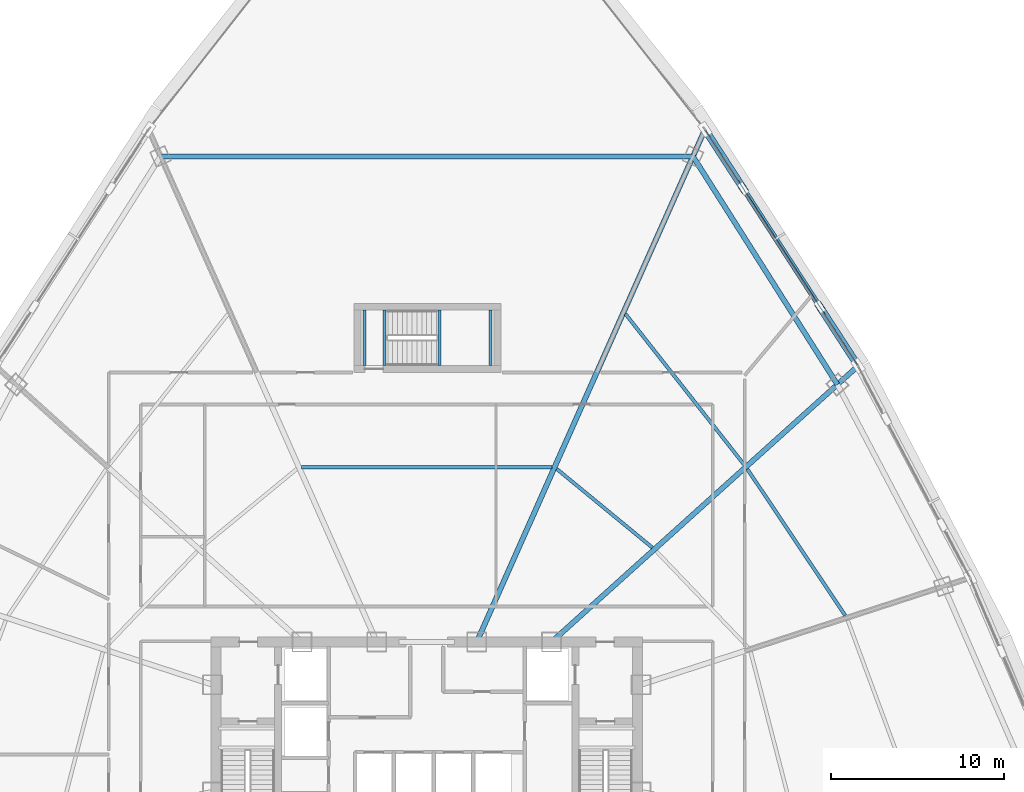
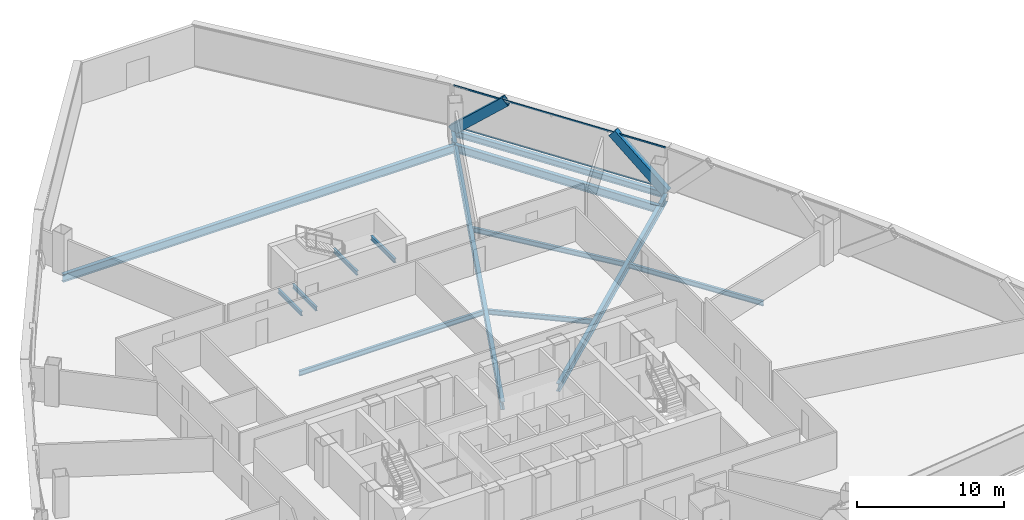
# One storey, part 19 of 39: 13 beams, 4 members, 1 element without a shape of its own.
"""IFC4 building model written with IfcOpenShell, lengths in metres."""

from ifc_helpers import new_model, si_unit, direction, frame, origin, origin_2d, place, context, subcontext, project, spatial, hollow_rectangle, i_section, extrude, source, transform, mapped, material, layer, layer_set, material_profile, profile_set, type_object, element, aggregate, save


model = new_model("IFC4")

# Units and contexts
model_context = context("Model", 3, precision=1e-05, world=origin(), true_north=direction((0.0, 1.0)))
body_context = subcontext(model_context, "Body", "Model", "MODEL_VIEW")
ifc_project = project(units=[si_unit("LENGTHUNIT", "METRE"), si_unit("AREAUNIT", "SQUARE_METRE"), si_unit("VOLUMEUNIT", "CUBIC_METRE"), si_unit("PLANEANGLEUNIT", "RADIAN"), si_unit("MASSUNIT", "GRAM", prefix="KILO"), si_unit("THERMODYNAMICTEMPERATUREUNIT", "KELVIN"), si_unit("POWERUNIT", "WATT")], contexts=[model_context])

# Site, building, storey
site_placement = place(None, origin())
site = spatial("IfcSite", under=ifc_project, at=site_placement, CompositionType="ELEMENT")
building_placement = place(site_placement, origin())
building = spatial("IfcBuilding", under=site, at=building_placement, Name="Yunzhuo Pagoda Commons", CompositionType="ELEMENT")
storey_placement = place(building_placement, frame((0.0, 0.0, 144.550048828125)))
storey = spatial("IfcBuildingStorey", under=building, at=storey_placement, Name="L36", CompositionType="ELEMENT", Elevation=144.550048828125)

# Beams
ifc_material_1 = material(Name="Structural steel Q355B", Category="steel")
ifc_material_profile_1 = material_profile(ifc_material_1, i_section(OverallWidth=0.175048828125, OverallDepth=0.35009765625, WebThickness=0.007080078125, FlangeThickness=0.010986328125, at=origin_2d()), Name="Structural steel Q355B")
ifc_profile_set_1 = profile_set([ifc_material_profile_1], Name="Structural steel Q355B")
beam_type_1 = type_object("IfcBeamType", Name="B-JS2 Joist HN 350x175x7x11", PredefinedType="JOIST", material=ifc_profile_set_1)
shared_shape_1 = source(origin(), body_context, "Body", "SweptSolid", [
    extrude(i_section(OverallWidth=0.175048828125, OverallDepth=0.35009765625, WebThickness=0.007080078125, FlangeThickness=0.010986328125, at=origin_2d()), origin(), (0.0, 0.0, 1.0), 3.199951171875),
])
for number, where, z_axis, x_axis, name in (
    (1, (48.75, 56.199951171875, 1.46484375), (0.0, 1.0, 0.0), (-1.0, 0.0, 0.0), "L36 ST3 landing support beam 42A"),
    (2, (51.699951171875, 56.199951171875, 1.46484375), (0.0, 1.0, 0.0), (-1.0, 0.0, 0.0), "L36 ST3 landing support beam 42B"),
    (3, (44.39990234375, 56.199951171875, -0.375), (0.0, 1.0, 0.0), (-1.0, 0.0, 0.0), "L36 ST3 landing support beam 110A"),
    (4, (45.550048828125, 56.199951171875, -0.375), (0.0, 1.0, 0.0), (-1.0, 0.0, 0.0), "L36 ST3 landing support beam 110B"),
):
    element("IfcBeam", number, at=place(storey_placement, frame(where, z_axis=z_axis, x_axis=x_axis)), inside=storey, type_object=beam_type_1, Name=name, PredefinedType="JOIST", context=body_context, shape_type="MappedRepresentation", body=[
        mapped(shared_shape_1, transform((0.0, 0.0, 0.0), scale=1.0)),
    ])
ifc_material_profile_2 = material_profile(ifc_material_1, i_section(OverallWidth=0.199951171875, OverallDepth=0.39990234375, WebThickness=0.008056640625, FlangeThickness=0.012939453125, at=origin_2d()), Name="Structural steel Q355B")
ifc_profile_set_2 = profile_set([ifc_material_profile_2], Name="Structural steel Q355B")
beam_type_2 = type_object("IfcBeamType", Name="B-JS1 Joist HN 400x200x8x13", PredefinedType="JOIST", material=ifc_profile_set_2)
shared_shape_2 = source(origin(), body_context, "Body", "SweptSolid", [
    extrude(i_section(OverallWidth=0.199951171875, OverallDepth=0.39990234375, WebThickness=0.008056640625, FlangeThickness=0.012939453125, at=origin_2d()), origin(), (0.0, 0.0, 1.0), 10.186767578125),
])
beam_1_placement = place(storey_placement, frame((72.221923828125, 41.731201171875, -0.4599609375), z_axis=(-0.555872145938, 0.831267801235, 0.0), x_axis=(-0.831267801235, -0.555872145938, 0.0)))
element("IfcBeam", 5, at=beam_1_placement, inside=storey, type_object=beam_type_2, Name="L36 composite ring joist 2.6", PredefinedType="JOIST", context=body_context, shape_type="MappedRepresentation", body=[
    mapped(shared_shape_2, transform((0.0, 0.0, 0.0), scale=1.0)),
])
ifc_material_profile_3 = material_profile(ifc_material_1, i_section(OverallWidth=0.300048828125, OverallDepth=0.64990234375, WebThickness=0.012939453125, FlangeThickness=0.02197265625, at=origin_2d()), Name="Structural steel Q355B")
ifc_profile_set_3 = profile_set([ifc_material_profile_3], Name="Structural steel Q355B")
beam_type_3 = type_object("IfcBeamType", Name="B-RG2 Beam HN 650x300x13x22", PredefinedType="BEAM", material=ifc_profile_set_3)
shared_shape_3 = source(origin(), body_context, "Body", "SweptSolid", [
    extrude(i_section(OverallWidth=0.300048828125, OverallDepth=0.64990234375, WebThickness=0.012939453125, FlangeThickness=0.02197265625, at=origin_2d()), origin(), (0.0, 0.0, 1.0), 15.627685546875),
])
beam_2_placement = place(storey_placement, frame((71.76611328125, 55.09912109375, -0.5849609375), z_axis=(-0.534952471728, 0.844882153316, 0.0), x_axis=(-0.844882153316, -0.534952471728, 0.0)))
element("IfcBeam", 6, at=beam_2_placement, inside=storey, type_object=beam_type_3, Name="L36 column-ring beam 7", PredefinedType="BEAM", context=body_context, shape_type="MappedRepresentation", body=[
    mapped(shared_shape_3, transform((0.0, 0.0, 0.0), scale=1.0)),
])
shared_shape_4 = source(origin(), body_context, "Body", "SweptSolid", [
    extrude(i_section(OverallWidth=0.199951171875, OverallDepth=0.39990234375, WebThickness=0.008056640625, FlangeThickness=0.012939453125, at=origin_2d()), origin(), (0.0, 0.0, 1.0), 7.163818359375),
])
beam_3_placement = place(storey_placement, frame((61.05322265625, 45.664794921875, -0.4599609375), z_axis=(-0.772234119563, 0.635338071095, 0.0), x_axis=(-0.635338071095, -0.772234119563, 0.0)))
element("IfcBeam", 7, at=beam_3_placement, inside=storey, type_object=beam_type_2, Name="L36 composite ring joist 1.7", PredefinedType="JOIST", context=body_context, shape_type="MappedRepresentation", body=[
    mapped(shared_shape_4, transform((0.0, 0.0, 0.0), scale=1.0)),
])
shared_shape_5 = source(origin(), body_context, "Body", "SweptSolid", [
    extrude(i_section(OverallWidth=0.199951171875, OverallDepth=0.39990234375, WebThickness=0.008056640625, FlangeThickness=0.012939453125, at=origin_2d()), origin(), (0.0, 0.0, 1.0), 11.109375),
])
beam_4_placement = place(storey_placement, frame((66.372802734375, 50.456298828125, -0.4599609375), z_axis=(-0.618600596935, 0.785705607382, 0.0), x_axis=(-0.785705607382, -0.618600596935, 0.0)))
element("IfcBeam", 8, at=beam_4_placement, inside=storey, type_object=beam_type_2, Name="L36 composite ring joist 2.7", PredefinedType="JOIST", context=body_context, shape_type="MappedRepresentation", body=[
    mapped(shared_shape_5, transform((0.0, 0.0, 0.0), scale=1.0)),
])
shared_shape_6 = source(origin(), body_context, "Body", "SweptSolid", [
    extrude(i_section(OverallWidth=0.300048828125, OverallDepth=0.64990234375, WebThickness=0.012939453125, FlangeThickness=0.02197265625, at=origin_2d()), origin(), (0.0, 0.0, 1.0), 30.81201171875),
])
beam_5_placement = place(storey_placement, frame((63.406005859375, 68.302734375, -0.5849609375), z_axis=(-1.0, 0.0, 0.0), x_axis=(0.0, -1.0, 0.0)))
element("IfcBeam", 9, at=beam_5_placement, inside=storey, type_object=beam_type_3, Name="L36 column-ring beam 8", PredefinedType="BEAM", context=body_context, shape_type="MappedRepresentation", body=[
    mapped(shared_shape_6, transform((0.0, 0.0, 0.0), scale=1.0)),
])
shared_shape_7 = source(origin(), body_context, "Body", "SweptSolid", [
    extrude(i_section(OverallWidth=0.199951171875, OverallDepth=0.39990234375, WebThickness=0.008056640625, FlangeThickness=0.012939453125, at=origin_2d()), origin(), (0.0, 0.0, 1.0), 14.47900390625),
])
beam_6_placement = place(storey_placement, frame((55.239501953125, 50.317138671875, -0.4599609375), z_axis=(-1.0, 0.0, 0.0), x_axis=(0.0, -1.0, 0.0)))
element("IfcBeam", 10, at=beam_6_placement, inside=storey, type_object=beam_type_2, Name="L36 composite ring joist 1.8", PredefinedType="JOIST", context=body_context, shape_type="MappedRepresentation", body=[
    mapped(shared_shape_7, transform((0.0, 0.0, 0.0), scale=1.0)),
])
shared_shape_8 = source(origin(), body_context, "Body", "SweptSolid", [
    extrude(i_section(OverallWidth=0.300048828125, OverallDepth=0.64990234375, WebThickness=0.012939453125, FlangeThickness=0.02197265625, at=origin_2d()), origin(), (0.0, 0.0, 1.0), 23.724365234375),
])
beam_7_placement = place(storey_placement, frame((72.849609375, 56.07470703125, -0.5849609375), z_axis=(-0.74314317805, -0.669132436008, 0.0), x_axis=(0.669132436008, -0.74314317805, 0.0)))
element("IfcBeam", 11, at=beam_7_placement, inside=storey, type_object=beam_type_3, Name="L36 radial floor girder F2C3", PredefinedType="BEAM", context=body_context, shape_type="MappedRepresentation", body=[
    mapped(shared_shape_8, transform((0.0, 0.0, 0.0), scale=1.0)),
])
shared_shape_9 = source(origin(), body_context, "Body", "SweptSolid", [
    extrude(i_section(OverallWidth=0.300048828125, OverallDepth=0.64990234375, WebThickness=0.012939453125, FlangeThickness=0.02197265625, at=origin_2d()), origin(), (0.0, 0.0, 1.0), 32.3154296875),
])
beam_8_placement = place(storey_placement, frame((64.037841796875, 69.7216796875, -0.5849609375), z_axis=(-0.406733504059, -0.913546855217, 0.0), x_axis=(0.913546855217, -0.406733504059, 0.0)))
element("IfcBeam", 12, at=beam_8_placement, inside=storey, type_object=beam_type_3, Name="L36 radial floor girder F2C4", PredefinedType="BEAM", context=body_context, shape_type="MappedRepresentation", body=[
    mapped(shared_shape_9, transform((0.0, 0.0, 0.0), scale=1.0)),
])
ifc_material_profile_4 = material_profile(ifc_material_1, i_section(OverallWidth=0.300048828125, OverallDepth=0.488037109375, WebThickness=0.010986328125, FlangeThickness=0.01806640625, at=origin_2d()), Name="Structural steel Q355B")
ifc_profile_set_4 = profile_set([ifc_material_profile_4], Name="Structural steel Q355B")
beam_type_4 = type_object("IfcBeamType", Name="B-SP1 Beam HM 488x300x11x18", PredefinedType="BEAM", material=ifc_profile_set_4)
shared_shape_10 = source(origin(), body_context, "Body", "SweptSolid", [
    extrude(i_section(OverallWidth=0.300048828125, OverallDepth=0.488037109375, WebThickness=0.010986328125, FlangeThickness=0.01806640625, at=origin_2d()), origin(), (0.0, 0.0, 1.0), 16.3046875),
])
beam_9_placement = place(storey_placement, frame((72.964599609375, 56.17822265625, -0.504150390625), z_axis=(-0.543635534305, 0.839321396034, 0.0), x_axis=(-0.839321396034, -0.543635534305, 0.0)))
element("IfcBeam", 13, at=beam_9_placement, inside=storey, type_object=beam_type_4, Name="L36 facade edge spandrel beam F2.3", PredefinedType="BEAM", context=body_context, shape_type="MappedRepresentation", body=[
    mapped(shared_shape_10, transform((0.0, 0.0, 0.0), scale=1.0)),
])

# Members
ifc_material_2 = material(Name="Structural steel Q420B", Category="steel")
ifc_material_profile_5 = material_profile(ifc_material_2, hollow_rectangle(XDim=0.419921875, YDim=0.719970703125, WallThickness=0.028076171875, at=origin_2d()), Name="Structural steel Q420B")
ifc_profile_set_5 = profile_set([ifc_material_profile_5], Name="Structural steel Q420B")
member_type_1 = type_object("IfcMemberType", Name="M-DL1 Brace BOX 720x420x28", PredefinedType="BRACE", material=ifc_profile_set_5)
shared_shape_11 = source(origin(), body_context, "Body", "SweptSolid", [
    extrude(hollow_rectangle(XDim=0.419921875, YDim=0.719970703125, WallThickness=0.028076171875, at=origin_2d()), origin(), (0.0, 0.0, 1.0), 5.49169921875),
])
member_1_placement = place(storey_placement, frame((72.964599609375, 56.17822265625, -0.260009765625), z_axis=(-0.403492844042, 0.623022115074, 0.670102207828), x_axis=(-0.839348334956, -0.543593940921, 0.0)))
element("IfcMember", 14, at=member_1_placement, inside=storey, type_object=member_type_1, Name="L36 facade diamond brace F2.3L", PredefinedType="BRACE", context=body_context, shape_type="MappedRepresentation", body=[
    mapped(shared_shape_11, transform((0.0, 0.0, 0.0), scale=1.0)),
])
shared_shape_12 = source(origin(), body_context, "Body", "SweptSolid", [
    extrude(hollow_rectangle(XDim=0.419921875, YDim=0.719970703125, WallThickness=0.028076171875, at=origin_2d()), origin(), (0.0, 0.0, 1.0), 5.491455078125),
])
member_2_placement = place(storey_placement, frame((64.100830078125, 69.863037109375, -0.260009765625), z_axis=(0.403589632952, -0.622945355467, 0.670115282825), x_axis=(0.8392582692, 0.543732983714, 0.0)))
element("IfcMember", 15, at=member_2_placement, inside=storey, type_object=member_type_1, Name="L36 facade diamond brace F2.3R", PredefinedType="BRACE", context=body_context, shape_type="MappedRepresentation", body=[
    mapped(shared_shape_12, transform((0.0, 0.0, 0.0), scale=1.0)),
])

# Curtain wall, members
ifc_material_3 = material(Name="Anodized aluminium 6063-T6", Category="aluminium")
ifc_layer = layer(ifc_material_3, 0.14990234375)
ifc_layer_set = layer_set([ifc_layer], Name="Anodized aluminium 6063-T6")
curtain_wall_type = type_object("IfcCurtainWallType", Name="CW-MID Mid-Zone Ribbon Curtain Wall", PredefinedType="NOTDEFINED", material=ifc_layer_set)
curtain_wall_placement = place(storey_placement, origin())
curtain_wall = element("IfcCurtainWall", 16, at=curtain_wall_placement, inside=storey, type_object=curtain_wall_type, Name="L36 curtain wall CW-L36-F2B4", PredefinedType="NOTDEFINED")
ifc_material_profile_6 = material_profile(ifc_material_3, hollow_rectangle(XDim=0.054931640625, YDim=0.1298828125, WallThickness=0.00341796875, at=origin_2d()), Name="Anodized aluminium 6063-T6")
ifc_profile_set_6 = profile_set([ifc_material_profile_6], Name="Anodized aluminium 6063-T6")
member_type_2 = type_object("IfcMemberType", Name="CW-MID-T Transom RHS 130x55x3.5", PredefinedType="USERDEFINED", material=ifc_profile_set_6)
shared_shape_13 = source(origin(), body_context, "Body", "SweptSolid", [
    extrude(hollow_rectangle(XDim=0.054931640625, YDim=0.1298828125, WallThickness=0.00341796875, at=origin_2d()), origin(), (0.0, 0.0, 1.0), 16.1845703125),
])
member_3_placement = place(storey_placement, frame((72.93212890625, 56.228759765625, 0.02734375), z_axis=(-0.543640885625, 0.839317929915, 0.0), x_axis=(-0.839317929915, -0.543640885625, 0.0)))
member_3 = element("IfcMember", 17, at=member_3_placement, type_object=member_type_2, Name="CW transom 1.1", ObjectType="TRANSOM", PredefinedType="USERDEFINED", context=body_context, shape_type="MappedRepresentation", body=[
    mapped(shared_shape_13, transform((0.0, 0.0, 0.0), scale=1.0)),
])
member_4_placement = place(storey_placement, frame((72.93212890625, 56.228759765625, 3.392333984375), z_axis=(-0.543640885625, 0.839317929915, 0.0), x_axis=(-0.839317929915, -0.543640885625, 0.0)))
member_4 = element("IfcMember", 18, at=member_4_placement, type_object=member_type_2, Name="CW transom 1.2", ObjectType="TRANSOM", PredefinedType="USERDEFINED", context=body_context, shape_type="MappedRepresentation", body=[
    mapped(shared_shape_13, transform((0.0, 0.0, 0.0), scale=1.0)),
])
aggregate(curtain_wall, [member_3, member_4])

save(model, "model.ifc")
